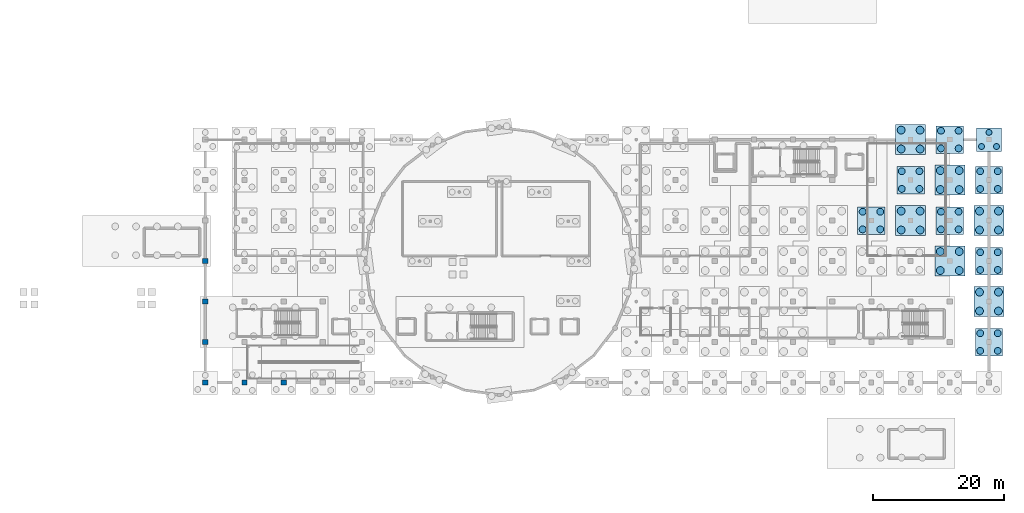
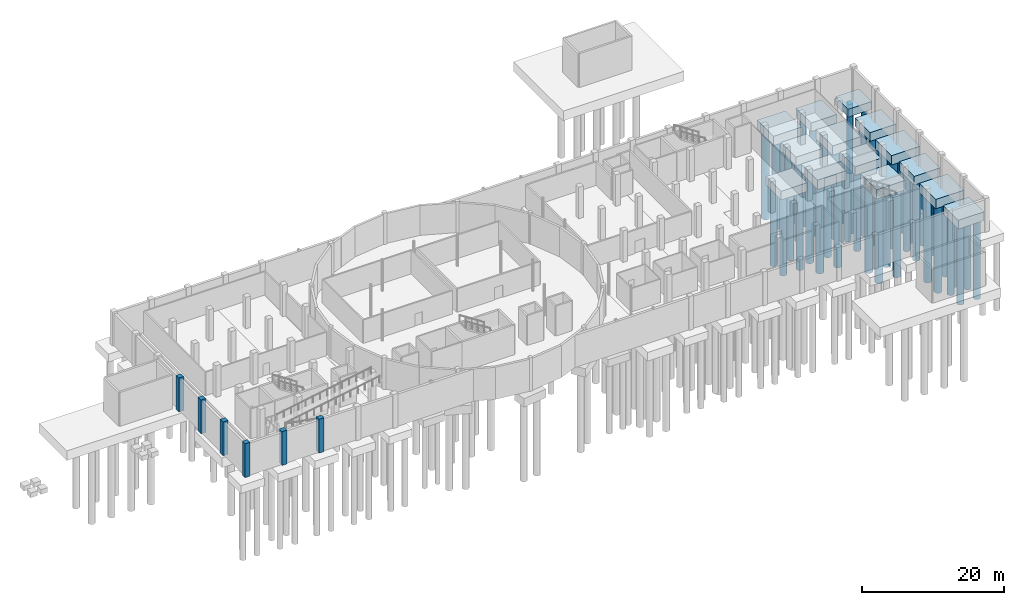
# One storey, part 3 of 19: 55 piles, 14 footings, 6 columns.
"""IFC4 building model written with IfcOpenShell, lengths in metres."""

from ifc_helpers import new_model, si_unit, direction, frame, origin, origin_2d, place, context, subcontext, project, spatial, rectangle, circle, extrude, material, layer, layer_set, material_profile, profile_set, type_object, element, save


model = new_model("IFC4")

# Units and contexts
model_context = context("Model", 3, precision=1e-05, world=origin(), true_north=direction((0.0, 1.0)))
body_context = subcontext(model_context, "Body", "Model", "MODEL_VIEW")
ifc_project = project(units=[si_unit("LENGTHUNIT", "METRE"), si_unit("AREAUNIT", "SQUARE_METRE"), si_unit("VOLUMEUNIT", "CUBIC_METRE"), si_unit("PLANEANGLEUNIT", "RADIAN"), si_unit("MASSUNIT", "GRAM", prefix="KILO")], contexts=[model_context])

# Site, building, storey
site_placement = place(None, origin())
site = spatial("IfcSite", under=ifc_project, at=site_placement, CompositionType="ELEMENT")
building_placement = place(site_placement, origin())
building = spatial("IfcBuilding", under=site, at=building_placement, Name="Mirzam Square Science Centre", CompositionType="ELEMENT")
storey_placement = place(building_placement, frame((0.0, 0.0, -5.39990234375)))
storey = spatial("IfcBuildingStorey", under=building, at=storey_placement, Name="B01", CompositionType="ELEMENT", Elevation=-5.39990234375)

# Footings
ifc_material = material(Name="Concrete C45/55", Category="concrete")
ifc_layer_1 = layer(ifc_material, 1.35009765625)
ifc_layer_set_1 = layer_set([ifc_layer_1], Name="PC-3P-3800x3400")
footing_type_1 = type_object("IfcFootingType", Name="PC-3P-3800x3400", PredefinedType="PILE_CAP", material=ifc_layer_set_1)
footing_placement = place(storey_placement, frame((156.0, 80.60009765625, -1.750244140625), z_axis=(0.0, 0.0, 1.0), x_axis=(1.0, 0.0, 0.0)))
element("IfcFooting", 1, at=footing_placement, inside=storey, type_object=footing_type_1, Name="Pile cap G27-14", PredefinedType="PILE_CAP", context=body_context, shape_type="SweptSolid", body=[
    extrude(rectangle(XDim=3.800048828125, YDim=3.60009765625, at=origin_2d()), origin(), (0.0, 0.0, 1.0), 1.35009765625),
])
ifc_layer_2 = layer(ifc_material, 1.5)
ifc_layer_set_2 = layer_set([ifc_layer_2], Name="PC-4P-4200x4200")
footing_type_2 = type_object("IfcFootingType", Name="PC-4P-4200x4200", PredefinedType="PILE_CAP", material=ifc_layer_set_2)
for number, where, z_axis, x_axis, name in (
    (2, (138.0, 68.199951171875, -1.900146484375), (0.0, 0.0, 1.0), (1.0, 0.0, 0.0), "Pile cap G24-12"),
    (3, (144.0, 74.39990234375, -1.900146484375), (0.0, 0.0, 1.0), (1.0, 0.0, 0.0), "Pile cap G25-13"),
    (4, (150.0, 68.199951171875, -1.900146484375), (0.0, 0.0, 1.0), (1.0, 0.0, 0.0), "Pile cap G26-12"),
    (5, (150.0, 80.60009765625, -1.900146484375), (0.0, 0.0, 1.0), (1.0, 0.0, 0.0), "Pile cap G26-14"),
    (6, (156.0, 49.60009765625, -1.900146484375), (0.0, 0.0, 1.0), (1.0, 0.0, 0.0), "Pile cap G27-09"),
    (7, (156.0, 62.0, -1.900146484375), (0.0, 0.0, 1.0), (1.0, 0.0, 0.0), "Pile cap G27-11"),
    (8, (156.0, 74.39990234375, -1.900146484375), (0.0, 0.0, 1.0), (1.0, 0.0, 0.0), "Pile cap G27-13"),
):
    element("IfcFooting", number, at=place(storey_placement, frame(where, z_axis=z_axis, x_axis=x_axis)), inside=storey, type_object=footing_type_2, Name=name, PredefinedType="PILE_CAP", context=body_context, shape_type="SweptSolid", body=[
        extrude(rectangle(XDim=4.199951171875, YDim=4.199951171875, at=origin_2d()), origin(), (0.0, 0.0, 1.0), 1.5),
    ])
ifc_layer_3 = layer(ifc_material, 1.60009765625)
ifc_layer_set_3 = layer_set([ifc_layer_3], Name="PC-4P-4500x4500")
footing_type_3 = type_object("IfcFootingType", Name="PC-4P-4500x4500", PredefinedType="PILE_CAP", material=ifc_layer_set_3)
for number, where, z_axis, x_axis, name in (
    (9, (144.0, 68.199951171875, -2.000244140625), (0.0, 0.0, 1.0), (1.0, 0.0, 0.0), "Pile cap G25-12"),
    (10, (144.0, 80.60009765625, -2.000244140625), (0.0, 0.0, 1.0), (1.0, 0.0, 0.0), "Pile cap G25-14"),
    (11, (150.0, 62.0, -2.000244140625), (0.0, 0.0, 1.0), (1.0, 0.0, 0.0), "Pile cap G26-11"),
    (12, (150.0, 74.39990234375, -2.000244140625), (0.0, 0.0, 1.0), (1.0, 0.0, 0.0), "Pile cap G26-13"),
    (13, (156.0, 55.800048828125, -2.000244140625), (0.0, 0.0, 1.0), (1.0, 0.0, 0.0), "Pile cap G27-10"),
    (14, (156.0, 68.199951171875, -2.000244140625), (0.0, 0.0, 1.0), (1.0, 0.0, 0.0), "Pile cap G27-12"),
):
    element("IfcFooting", number, at=place(storey_placement, frame(where, z_axis=z_axis, x_axis=x_axis)), inside=storey, type_object=footing_type_3, Name=name, PredefinedType="PILE_CAP", context=body_context, shape_type="SweptSolid", body=[
        extrude(rectangle(XDim=4.60009765625, YDim=4.60009765625, at=origin_2d()), origin(), (0.0, 0.0, 1.0), 1.60009765625),
    ])

# Piles
ifc_material_profile_1 = material_profile(ifc_material, circle(Radius=0.52490234375, at=origin_2d()), Name="PILE-D1050")
ifc_profile_set_1 = profile_set([ifc_material_profile_1], Name="Concrete C45/55")
pile_type_1 = type_object("IfcPileType", Name="PL-1050", PredefinedType="BORED", material=ifc_profile_set_1)
for number, where, z_axis, x_axis, name in (
    (15, (136.64990234375, 66.85009765625, -1.800048828125), (0.0, 0.0, -1.0), (1.0, 0.0, 0.0), "Bored pile G24-12-1"),
    (16, (139.35009765625, 66.85009765625, -1.800048828125), (0.0, 0.0, -1.0), (1.0, 0.0, 0.0), "Bored pile G24-12-2"),
    (17, (136.64990234375, 69.550048828125, -1.800048828125), (0.0, 0.0, -1.0), (1.0, 0.0, 0.0), "Bored pile G24-12-3"),
    (18, (139.35009765625, 69.550048828125, -1.800048828125), (0.0, 0.0, -1.0), (1.0, 0.0, 0.0), "Bored pile G24-12-4"),
    (19, (142.64990234375, 73.050048828125, -1.800048828125), (0.0, 0.0, -1.0), (1.0, 0.0, 0.0), "Bored pile G25-13-1"),
    (20, (145.35009765625, 73.050048828125, -1.800048828125), (0.0, 0.0, -1.0), (1.0, 0.0, 0.0), "Bored pile G25-13-2"),
    (21, (142.64990234375, 75.75, -1.800048828125), (0.0, 0.0, -1.0), (1.0, 0.0, 0.0), "Bored pile G25-13-3"),
    (22, (145.35009765625, 75.75, -1.800048828125), (0.0, 0.0, -1.0), (1.0, 0.0, 0.0), "Bored pile G25-13-4"),
    (23, (148.64990234375, 66.85009765625, -1.800048828125), (0.0, 0.0, -1.0), (1.0, 0.0, 0.0), "Bored pile G26-12-1"),
    (24, (151.35009765625, 66.85009765625, -1.800048828125), (0.0, 0.0, -1.0), (1.0, 0.0, 0.0), "Bored pile G26-12-2"),
    (25, (148.64990234375, 69.550048828125, -1.800048828125), (0.0, 0.0, -1.0), (1.0, 0.0, 0.0), "Bored pile G26-12-3"),
    (26, (151.35009765625, 69.550048828125, -1.800048828125), (0.0, 0.0, -1.0), (1.0, 0.0, 0.0), "Bored pile G26-12-4"),
    (27, (148.64990234375, 79.25, -1.800048828125), (0.0, 0.0, -1.0), (1.0, 0.0, 0.0), "Bored pile G26-14-1"),
    (28, (151.35009765625, 79.25, -1.800048828125), (0.0, 0.0, -1.0), (1.0, 0.0, 0.0), "Bored pile G26-14-2"),
    (29, (148.64990234375, 81.949951171875, -1.800048828125), (0.0, 0.0, -1.0), (1.0, 0.0, 0.0), "Bored pile G26-14-3"),
    (30, (151.35009765625, 81.949951171875, -1.800048828125), (0.0, 0.0, -1.0), (1.0, 0.0, 0.0), "Bored pile G26-14-4"),
    (31, (154.64990234375, 48.25, -1.800048828125), (0.0, 0.0, -1.0), (1.0, 0.0, 0.0), "Bored pile G27-09-1"),
    (32, (157.35009765625, 48.25, -1.800048828125), (0.0, 0.0, -1.0), (1.0, 0.0, 0.0), "Bored pile G27-09-2"),
    (33, (154.64990234375, 50.949951171875, -1.800048828125), (0.0, 0.0, -1.0), (1.0, 0.0, 0.0), "Bored pile G27-09-3"),
    (34, (157.35009765625, 50.949951171875, -1.800048828125), (0.0, 0.0, -1.0), (1.0, 0.0, 0.0), "Bored pile G27-09-4"),
    (35, (154.64990234375, 60.64990234375, -1.800048828125), (0.0, 0.0, -1.0), (1.0, 0.0, 0.0), "Bored pile G27-11-1"),
    (36, (157.35009765625, 60.64990234375, -1.800048828125), (0.0, 0.0, -1.0), (1.0, 0.0, 0.0), "Bored pile G27-11-2"),
    (37, (154.64990234375, 63.35009765625, -1.800048828125), (0.0, 0.0, -1.0), (1.0, 0.0, 0.0), "Bored pile G27-11-3"),
    (38, (157.35009765625, 63.35009765625, -1.800048828125), (0.0, 0.0, -1.0), (1.0, 0.0, 0.0), "Bored pile G27-11-4"),
    (39, (154.64990234375, 73.050048828125, -1.800048828125), (0.0, 0.0, -1.0), (1.0, 0.0, 0.0), "Bored pile G27-13-1"),
    (40, (157.35009765625, 73.050048828125, -1.800048828125), (0.0, 0.0, -1.0), (1.0, 0.0, 0.0), "Bored pile G27-13-2"),
    (41, (154.64990234375, 75.75, -1.800048828125), (0.0, 0.0, -1.0), (1.0, 0.0, 0.0), "Bored pile G27-13-3"),
    (42, (157.35009765625, 75.75, -1.800048828125), (0.0, 0.0, -1.0), (1.0, 0.0, 0.0), "Bored pile G27-13-4"),
):
    element("IfcPile", number, at=place(storey_placement, frame(where, z_axis=z_axis, x_axis=x_axis)), inside=storey, type_object=pile_type_1, Name=name, PredefinedType="BORED", context=body_context, shape_type="SweptSolid", body=[
        extrude(circle(Radius=0.52490234375, at=origin_2d()), origin(), (0.0, 0.0, 1.0), 13.5),
    ])
ifc_material_profile_2 = material_profile(ifc_material, circle(Radius=0.60009765625, at=origin_2d()), Name="PILE-D1200")
ifc_profile_set_2 = profile_set([ifc_material_profile_2], Name="Concrete C45/55")
pile_type_2 = type_object("IfcPileType", Name="PL-1200", PredefinedType="BORED", material=ifc_profile_set_2)
for number, where, z_axis, x_axis, name in (
    (43, (142.550048828125, 66.75, -1.900146484375), (0.0, 0.0, -1.0), (1.0, 0.0, 0.0), "Bored pile G25-12-1"),
    (44, (145.449951171875, 66.75, -1.900146484375), (0.0, 0.0, -1.0), (1.0, 0.0, 0.0), "Bored pile G25-12-2"),
    (45, (142.550048828125, 69.64990234375, -1.900146484375), (0.0, 0.0, -1.0), (1.0, 0.0, 0.0), "Bored pile G25-12-3"),
    (46, (145.449951171875, 69.64990234375, -1.900146484375), (0.0, 0.0, -1.0), (1.0, 0.0, 0.0), "Bored pile G25-12-4"),
    (47, (142.550048828125, 79.14990234375, -1.900146484375), (0.0, 0.0, -1.0), (1.0, 0.0, 0.0), "Bored pile G25-14-1"),
    (48, (145.449951171875, 79.14990234375, -1.900146484375), (0.0, 0.0, -1.0), (1.0, 0.0, 0.0), "Bored pile G25-14-2"),
    (49, (142.550048828125, 82.050048828125, -1.900146484375), (0.0, 0.0, -1.0), (1.0, 0.0, 0.0), "Bored pile G25-14-3"),
    (50, (145.449951171875, 82.050048828125, -1.900146484375), (0.0, 0.0, -1.0), (1.0, 0.0, 0.0), "Bored pile G25-14-4"),
    (51, (148.550048828125, 60.550048828125, -1.900146484375), (0.0, 0.0, -1.0), (1.0, 0.0, 0.0), "Bored pile G26-11-1"),
    (52, (151.449951171875, 60.550048828125, -1.900146484375), (0.0, 0.0, -1.0), (1.0, 0.0, 0.0), "Bored pile G26-11-2"),
    (53, (148.550048828125, 63.449951171875, -1.900146484375), (0.0, 0.0, -1.0), (1.0, 0.0, 0.0), "Bored pile G26-11-3"),
    (54, (151.449951171875, 63.449951171875, -1.900146484375), (0.0, 0.0, -1.0), (1.0, 0.0, 0.0), "Bored pile G26-11-4"),
    (55, (148.550048828125, 72.949951171875, -1.900146484375), (0.0, 0.0, -1.0), (1.0, 0.0, 0.0), "Bored pile G26-13-1"),
    (56, (151.449951171875, 72.949951171875, -1.900146484375), (0.0, 0.0, -1.0), (1.0, 0.0, 0.0), "Bored pile G26-13-2"),
    (57, (148.550048828125, 75.85009765625, -1.900146484375), (0.0, 0.0, -1.0), (1.0, 0.0, 0.0), "Bored pile G26-13-3"),
    (58, (151.449951171875, 75.85009765625, -1.900146484375), (0.0, 0.0, -1.0), (1.0, 0.0, 0.0), "Bored pile G26-13-4"),
    (59, (154.550048828125, 54.35009765625, -1.900146484375), (0.0, 0.0, -1.0), (1.0, 0.0, 0.0), "Bored pile G27-10-1"),
    (60, (157.449951171875, 54.35009765625, -1.900146484375), (0.0, 0.0, -1.0), (1.0, 0.0, 0.0), "Bored pile G27-10-2"),
    (61, (154.550048828125, 57.25, -1.900146484375), (0.0, 0.0, -1.0), (1.0, 0.0, 0.0), "Bored pile G27-10-3"),
    (62, (157.449951171875, 57.25, -1.900146484375), (0.0, 0.0, -1.0), (1.0, 0.0, 0.0), "Bored pile G27-10-4"),
    (63, (154.550048828125, 66.75, -1.900146484375), (0.0, 0.0, -1.0), (1.0, 0.0, 0.0), "Bored pile G27-12-1"),
    (64, (157.449951171875, 66.75, -1.900146484375), (0.0, 0.0, -1.0), (1.0, 0.0, 0.0), "Bored pile G27-12-2"),
    (65, (154.550048828125, 69.64990234375, -1.900146484375), (0.0, 0.0, -1.0), (1.0, 0.0, 0.0), "Bored pile G27-12-3"),
    (66, (157.449951171875, 69.64990234375, -1.900146484375), (0.0, 0.0, -1.0), (1.0, 0.0, 0.0), "Bored pile G27-12-4"),
):
    element("IfcPile", number, at=place(storey_placement, frame(where, z_axis=z_axis, x_axis=x_axis)), inside=storey, type_object=pile_type_2, Name=name, PredefinedType="BORED", context=body_context, shape_type="SweptSolid", body=[
        extrude(circle(Radius=0.60009765625, at=origin_2d()), origin(), (0.0, 0.0, 1.0), 15.0),
    ])
ifc_material_profile_3 = material_profile(ifc_material, circle(Radius=0.449951171875, at=origin_2d()), Name="PILE-D900")
ifc_profile_set_3 = profile_set([ifc_material_profile_3], Name="Concrete C45/55")
pile_type_3 = type_object("IfcPileType", Name="PL-900", PredefinedType="BORED", material=ifc_profile_set_3)
for number, where, z_axis, x_axis, name in (
    (67, (154.85009765625, 79.550048828125, -1.650146484375), (0.0, 0.0, -1.0), (1.0, 0.0, 0.0), "Bored pile G27-14-1"),
    (68, (157.14990234375, 79.550048828125, -1.650146484375), (0.0, 0.0, -1.0), (1.0, 0.0, 0.0), "Bored pile G27-14-2"),
    (69, (156.0, 81.699951171875, -1.650146484375), (0.0, 0.0, -1.0), (1.0, 0.0, 0.0), "Bored pile G27-14-3"),
):
    element("IfcPile", number, at=place(storey_placement, frame(where, z_axis=z_axis, x_axis=x_axis)), inside=storey, type_object=pile_type_3, Name=name, PredefinedType="BORED", context=body_context, shape_type="SweptSolid", body=[
        extrude(circle(Radius=0.449951171875, at=origin_2d()), origin(), (0.0, 0.0, 1.0), 12.0),
    ])

# Columns
ifc_material_profile_4 = material_profile(ifc_material, rectangle(XDim=0.800048828125, YDim=0.800048828125, at=origin_2d()), Name="RC800x800")
ifc_profile_set_4 = profile_set([ifc_material_profile_4], Name="Concrete C45/55")
column_type = type_object("IfcColumnType", Name="COL-RC800", PredefinedType="COLUMN", material=ifc_profile_set_4)
for number, where, z_axis, x_axis, name in (
    (70, (36.0, 43.39990234375, -0.400146484375), (0.0, 0.0, 1.0), (1.0, 0.0, 0.0), "B01 column G07-08"),
    (71, (36.0, 49.60009765625, -0.400146484375), (0.0, 0.0, 1.0), (1.0, 0.0, 0.0), "B01 column G07-09"),
    (72, (36.0, 55.800048828125, -0.400146484375), (0.0, 0.0, 1.0), (1.0, 0.0, 0.0), "B01 column G07-10"),
    (73, (36.0, 62.0, -0.400146484375), (0.0, 0.0, 1.0), (1.0, 0.0, 0.0), "B01 column G07-11"),
    (74, (42.0, 43.39990234375, -0.400146484375), (0.0, 0.0, 1.0), (1.0, 0.0, 0.0), "B01 column G08-08"),
    (75, (48.0, 43.39990234375, -0.400146484375), (0.0, 0.0, 1.0), (1.0, 0.0, 0.0), "B01 column G09-08"),
):
    element("IfcColumn", number, at=place(storey_placement, frame(where, z_axis=z_axis, x_axis=x_axis)), inside=storey, type_object=column_type, Name=name, PredefinedType="COLUMN", context=body_context, shape_type="SweptSolid", body=[
        extrude(rectangle(XDim=0.800048828125, YDim=0.800048828125, at=origin_2d()), origin(), (0.0, 0.0, 1.0), 5.800048828125),
    ])

save(model, "model.ifc")
